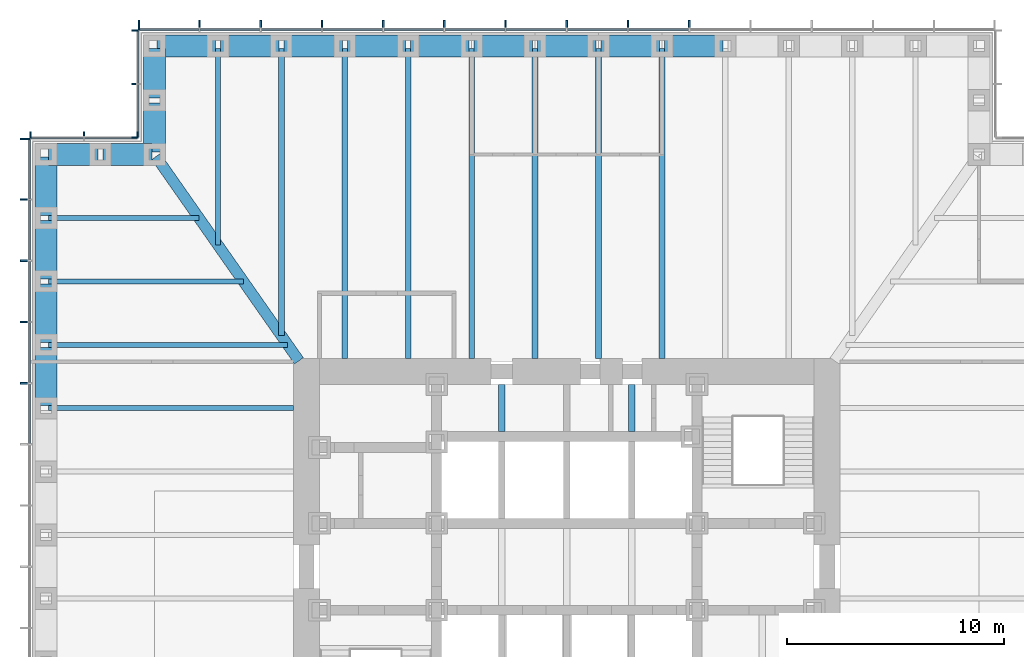
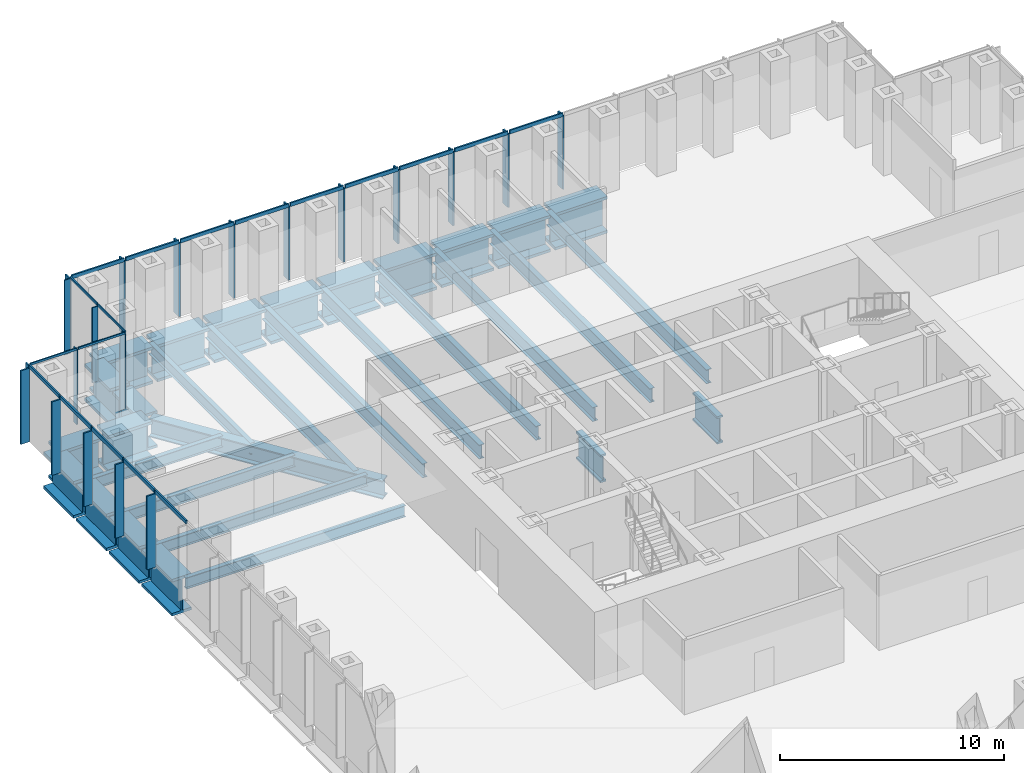
# One storey, part 5 of 16: 39 members, 32 beams, 4 elements without a shape of their own.
"""IFC4 building model written with IfcOpenShell, lengths in metres."""

from ifc_helpers import new_model, si_unit, direction, frame, origin, origin_2d, place, context, subcontext, project, spatial, rectangle, i_section, extrude, material, material_profile, profile_set, type_object, element, aggregate, save


model = new_model("IFC4")

# Units and contexts
model_context = context("Model", 3, precision=1e-05, world=origin(), true_north=direction((0.0, 1.0)))
body_context = subcontext(model_context, "Body", "Model", "MODEL_VIEW")
ifc_project = project(units=[si_unit("LENGTHUNIT", "METRE"), si_unit("AREAUNIT", "SQUARE_METRE"), si_unit("VOLUMEUNIT", "CUBIC_METRE"), si_unit("PLANEANGLEUNIT", "RADIAN"), si_unit("MASSUNIT", "GRAM", prefix="KILO")], contexts=[model_context])

# Site, building, storey
site_placement = place(None, origin())
site = spatial("IfcSite", under=ifc_project, at=site_placement, CompositionType="ELEMENT")
building_placement = place(site_placement, origin())
building = spatial("IfcBuilding", under=site, at=building_placement, Name="Daluyong Arena Tower", CompositionType="ELEMENT")
storey_placement = place(building_placement, frame((0.0, 0.0, 43.300048828125)))
storey = spatial("IfcBuildingStorey", under=building, at=storey_placement, Name="L08", CompositionType="ELEMENT", Elevation=43.300048828125)

# Curtain wall, members
ifc_material_1 = material(Name="Bronze anodised aluminium and glass", Category="aluminium")
curtain_wall_type_1 = type_object("IfcCurtainWallType", Name="Curtain wall CW1", PredefinedType="USERDEFINED", material=ifc_material_1)
curtain_wall_1_placement = place(storey_placement, origin())
curtain_wall_1 = element("IfcCurtainWall", 1, at=curtain_wall_1_placement, inside=storey, type_object=curtain_wall_type_1, Name="curtain wall L08 N", ObjectType="UNITISED CURTAIN WALL", PredefinedType="USERDEFINED")
ifc_material_2 = material(Name="Bronze anodised aluminium fin", Category="aluminium")
ifc_material_profile_1 = material_profile(ifc_material_2, rectangle(XDim=0.449951171875, YDim=0.080078125, at=origin_2d()))
ifc_profile_set_1 = profile_set([ifc_material_profile_1], Name="Bronze anodised aluminium fin")
member_type_1 = type_object("IfcMemberType", Name="CW1 bronze fin 450x80", PredefinedType="MULLION", material=ifc_profile_set_1)
member_1_placement = place(storey_placement, frame((61.642822265625, 104.97509765625, 0.0), z_axis=(0.0, 0.0, 1.0), x_axis=(0.0, -1.0, 0.0)))
member_1 = element("IfcMember", 2, at=member_1_placement, type_object=member_type_1, Name="curtain wall L08 N fin 6", PredefinedType="MULLION", context=body_context, shape_type="SweptSolid", body=[
    extrude(rectangle(XDim=0.449951171875, YDim=0.080078125, at=origin_2d()), origin(), (0.0, 0.0, 1.0), 4.0),
])
member_2_placement = place(storey_placement, frame((58.821533203125, 104.97509765625, 0.0), z_axis=(0.0, 0.0, 1.0), x_axis=(0.0, -1.0, 0.0)))
member_2 = element("IfcMember", 3, at=member_2_placement, type_object=member_type_1, Name="curtain wall L08 N fin 7", PredefinedType="MULLION", context=body_context, shape_type="SweptSolid", body=[
    extrude(rectangle(XDim=0.449951171875, YDim=0.080078125, at=origin_2d()), origin(), (0.0, 0.0, 1.0), 4.0),
])
member_3_placement = place(storey_placement, frame((56.0, 104.97509765625, 0.0), z_axis=(0.0, 0.0, 1.0), x_axis=(0.0, -1.0, 0.0)))
member_3 = element("IfcMember", 4, at=member_3_placement, type_object=member_type_1, Name="curtain wall L08 N fin 8", PredefinedType="MULLION", context=body_context, shape_type="SweptSolid", body=[
    extrude(rectangle(XDim=0.449951171875, YDim=0.080078125, at=origin_2d()), origin(), (0.0, 0.0, 1.0), 4.0),
])
member_4_placement = place(storey_placement, frame((53.178466796875, 104.97509765625, 0.0), z_axis=(0.0, 0.0, 1.0), x_axis=(0.0, -1.0, 0.0)))
member_4 = element("IfcMember", 5, at=member_4_placement, type_object=member_type_1, Name="curtain wall L08 N fin 9", PredefinedType="MULLION", context=body_context, shape_type="SweptSolid", body=[
    extrude(rectangle(XDim=0.449951171875, YDim=0.080078125, at=origin_2d()), origin(), (0.0, 0.0, 1.0), 4.0),
])
member_5_placement = place(storey_placement, frame((50.357177734375, 104.97509765625, 0.0), z_axis=(0.0, 0.0, 1.0), x_axis=(0.0, -1.0, 0.0)))
member_5 = element("IfcMember", 6, at=member_5_placement, type_object=member_type_1, Name="curtain wall L08 N fin 10", PredefinedType="MULLION", context=body_context, shape_type="SweptSolid", body=[
    extrude(rectangle(XDim=0.449951171875, YDim=0.080078125, at=origin_2d()), origin(), (0.0, 0.0, 1.0), 4.0),
])
member_6_placement = place(storey_placement, frame((47.53564453125, 104.97509765625, 0.0), z_axis=(0.0, 0.0, 1.0), x_axis=(0.0, -1.0, 0.0)))
member_6 = element("IfcMember", 7, at=member_6_placement, type_object=member_type_1, Name="curtain wall L08 N fin 11", PredefinedType="MULLION", context=body_context, shape_type="SweptSolid", body=[
    extrude(rectangle(XDim=0.449951171875, YDim=0.080078125, at=origin_2d()), origin(), (0.0, 0.0, 1.0), 4.0),
])
member_7_placement = place(storey_placement, frame((44.71435546875, 104.97509765625, 0.0), z_axis=(0.0, 0.0, 1.0), x_axis=(0.0, -1.0, 0.0)))
member_7 = element("IfcMember", 8, at=member_7_placement, type_object=member_type_1, Name="curtain wall L08 N fin 12", PredefinedType="MULLION", context=body_context, shape_type="SweptSolid", body=[
    extrude(rectangle(XDim=0.449951171875, YDim=0.080078125, at=origin_2d()), origin(), (0.0, 0.0, 1.0), 4.0),
])
member_8_placement = place(storey_placement, frame((41.892822265625, 104.97509765625, 0.0), z_axis=(0.0, 0.0, 1.0), x_axis=(0.0, -1.0, 0.0)))
member_8 = element("IfcMember", 9, at=member_8_placement, type_object=member_type_1, Name="curtain wall L08 N fin 13", PredefinedType="MULLION", context=body_context, shape_type="SweptSolid", body=[
    extrude(rectangle(XDim=0.449951171875, YDim=0.080078125, at=origin_2d()), origin(), (0.0, 0.0, 1.0), 4.0),
])
member_9_placement = place(storey_placement, frame((39.071533203125, 104.97509765625, 0.0), z_axis=(0.0, 0.0, 1.0), x_axis=(0.0, -1.0, 0.0)))
member_9 = element("IfcMember", 10, at=member_9_placement, type_object=member_type_1, Name="curtain wall L08 N fin 14", PredefinedType="MULLION", context=body_context, shape_type="SweptSolid", body=[
    extrude(rectangle(XDim=0.449951171875, YDim=0.080078125, at=origin_2d()), origin(), (0.0, 0.0, 1.0), 4.0),
])
member_10_placement = place(storey_placement, frame((36.2900390625, 104.97509765625, 0.0), z_axis=(0.0, 0.0, 1.0), x_axis=(0.0, -1.0, 0.0)))
member_10 = element("IfcMember", 11, at=member_10_placement, type_object=member_type_1, Name="curtain wall L08 N fin 15", PredefinedType="MULLION", context=body_context, shape_type="SweptSolid", body=[
    extrude(rectangle(XDim=0.449951171875, YDim=0.080078125, at=origin_2d()), origin(), (0.0, 0.0, 1.0), 4.0),
])

curtain_wall_2_placement = place(storey_placement, origin())
curtain_wall_2 = element("IfcCurtainWall", 12, at=curtain_wall_2_placement, inside=storey, type_object=curtain_wall_type_1, Name="curtain wall L08 W", ObjectType="UNITISED CURTAIN WALL", PredefinedType="USERDEFINED")
member_11_placement = place(storey_placement, frame((31.02490234375, 99.7099609375, 0.0), z_axis=(0.0, 0.0, 1.0), x_axis=(1.0, 0.0, 0.0)))
member_11 = element("IfcMember", 13, at=member_11_placement, type_object=member_type_1, Name="curtain wall L08 W fin 1", PredefinedType="MULLION", context=body_context, shape_type="SweptSolid", body=[
    extrude(rectangle(XDim=0.449951171875, YDim=0.080078125, at=origin_2d()), origin(), (0.0, 0.0, 1.0), 4.0),
])
member_12_placement = place(storey_placement, frame((31.02490234375, 96.928466796875, 0.0), z_axis=(0.0, 0.0, 1.0), x_axis=(1.0, 0.0, 0.0)))
member_12 = element("IfcMember", 14, at=member_12_placement, type_object=member_type_1, Name="curtain wall L08 W fin 2", PredefinedType="MULLION", context=body_context, shape_type="SweptSolid", body=[
    extrude(rectangle(XDim=0.449951171875, YDim=0.080078125, at=origin_2d()), origin(), (0.0, 0.0, 1.0), 4.0),
])
member_13_placement = place(storey_placement, frame((31.02490234375, 94.107177734375, 0.0), z_axis=(0.0, 0.0, 1.0), x_axis=(1.0, 0.0, 0.0)))
member_13 = element("IfcMember", 15, at=member_13_placement, type_object=member_type_1, Name="curtain wall L08 W fin 3", PredefinedType="MULLION", context=body_context, shape_type="SweptSolid", body=[
    extrude(rectangle(XDim=0.449951171875, YDim=0.080078125, at=origin_2d()), origin(), (0.0, 0.0, 1.0), 4.0),
])
member_14_placement = place(storey_placement, frame((31.02490234375, 91.28564453125, 0.0), z_axis=(0.0, 0.0, 1.0), x_axis=(1.0, 0.0, 0.0)))
member_14 = element("IfcMember", 16, at=member_14_placement, type_object=member_type_1, Name="curtain wall L08 W fin 4", PredefinedType="MULLION", context=body_context, shape_type="SweptSolid", body=[
    extrude(rectangle(XDim=0.449951171875, YDim=0.080078125, at=origin_2d()), origin(), (0.0, 0.0, 1.0), 4.0),
])
member_15_placement = place(storey_placement, frame((31.02490234375, 88.46435546875, 0.0), z_axis=(0.0, 0.0, 1.0), x_axis=(1.0, 0.0, 0.0)))
member_15 = element("IfcMember", 17, at=member_15_placement, type_object=member_type_1, Name="curtain wall L08 W fin 5", PredefinedType="MULLION", context=body_context, shape_type="SweptSolid", body=[
    extrude(rectangle(XDim=0.449951171875, YDim=0.080078125, at=origin_2d()), origin(), (0.0, 0.0, 1.0), 4.0),
])

# Member
ifc_material_3 = material(Name="Bronze anodised aluminium", Category="aluminium")
ifc_material_profile_2 = material_profile(ifc_material_3, rectangle(XDim=0.080078125, YDim=0.199951171875, at=origin_2d()))
ifc_profile_set_2 = profile_set([ifc_material_profile_2], Name="Bronze anodised aluminium")
member_type_2 = type_object("IfcMemberType", Name="CW1 stack transom 200x80", PredefinedType="USERDEFINED", material=ifc_profile_set_2)
member_16_placement = place(storey_placement, frame((61.602783203125, 104.75, 4.099853515625), z_axis=(-1.0, 0.0, 0.0), x_axis=(0.0, -1.0, 0.0)))
member_16 = element("IfcMember", 18, at=member_16_placement, type_object=member_type_2, Name="curtain wall L08 N transom 6", ObjectType="TRANSOM", PredefinedType="USERDEFINED", context=body_context, shape_type="SweptSolid", body=[
    extrude(rectangle(XDim=0.080078125, YDim=0.199951171875, at=origin_2d()), origin(), (0.0, 0.0, 1.0), 2.741455078125),
])

member_17_placement = place(storey_placement, frame((58.781494140625, 104.75, 4.099853515625), z_axis=(-1.0, 0.0, 0.0), x_axis=(0.0, -1.0, 0.0)))
member_17 = element("IfcMember", 19, at=member_17_placement, type_object=member_type_2, Name="curtain wall L08 N transom 7", ObjectType="TRANSOM", PredefinedType="USERDEFINED", context=body_context, shape_type="SweptSolid", body=[
    extrude(rectangle(XDim=0.080078125, YDim=0.199951171875, at=origin_2d()), origin(), (0.0, 0.0, 1.0), 2.741455078125),
])

member_18_placement = place(storey_placement, frame((55.9599609375, 104.75, 4.099853515625), z_axis=(-1.0, 0.0, 0.0), x_axis=(0.0, -1.0, 0.0)))
member_18 = element("IfcMember", 20, at=member_18_placement, type_object=member_type_2, Name="curtain wall L08 N transom 8", ObjectType="TRANSOM", PredefinedType="USERDEFINED", context=body_context, shape_type="SweptSolid", body=[
    extrude(rectangle(XDim=0.080078125, YDim=0.199951171875, at=origin_2d()), origin(), (0.0, 0.0, 1.0), 2.741455078125),
])

member_19_placement = place(storey_placement, frame((53.138671875, 104.75, 4.099853515625), z_axis=(-1.0, 0.0, 0.0), x_axis=(0.0, -1.0, 0.0)))
member_19 = element("IfcMember", 21, at=member_19_placement, type_object=member_type_2, Name="curtain wall L08 N transom 9", ObjectType="TRANSOM", PredefinedType="USERDEFINED", context=body_context, shape_type="SweptSolid", body=[
    extrude(rectangle(XDim=0.080078125, YDim=0.199951171875, at=origin_2d()), origin(), (0.0, 0.0, 1.0), 2.741455078125),
])

member_20_placement = place(storey_placement, frame((50.317138671875, 104.75, 4.099853515625), z_axis=(-1.0, 0.0, 0.0), x_axis=(0.0, -1.0, 0.0)))
member_20 = element("IfcMember", 22, at=member_20_placement, type_object=member_type_2, Name="curtain wall L08 N transom 10", ObjectType="TRANSOM", PredefinedType="USERDEFINED", context=body_context, shape_type="SweptSolid", body=[
    extrude(rectangle(XDim=0.080078125, YDim=0.199951171875, at=origin_2d()), origin(), (0.0, 0.0, 1.0), 2.741455078125),
])

member_21_placement = place(storey_placement, frame((47.49560546875, 104.75, 4.099853515625), z_axis=(-1.0, 0.0, 0.0), x_axis=(0.0, -1.0, 0.0)))
member_21 = element("IfcMember", 23, at=member_21_placement, type_object=member_type_2, Name="curtain wall L08 N transom 11", ObjectType="TRANSOM", PredefinedType="USERDEFINED", context=body_context, shape_type="SweptSolid", body=[
    extrude(rectangle(XDim=0.080078125, YDim=0.199951171875, at=origin_2d()), origin(), (0.0, 0.0, 1.0), 2.7412109375),
])

member_22_placement = place(storey_placement, frame((44.67431640625, 104.75, 4.099853515625), z_axis=(-1.0, 0.0, 0.0), x_axis=(0.0, -1.0, 0.0)))
member_22 = element("IfcMember", 24, at=member_22_placement, type_object=member_type_2, Name="curtain wall L08 N transom 12", ObjectType="TRANSOM", PredefinedType="USERDEFINED", context=body_context, shape_type="SweptSolid", body=[
    extrude(rectangle(XDim=0.080078125, YDim=0.199951171875, at=origin_2d()), origin(), (0.0, 0.0, 1.0), 2.741455078125),
])

member_23_placement = place(storey_placement, frame((41.852783203125, 104.75, 4.099853515625), z_axis=(-1.0, 0.0, 0.0), x_axis=(0.0, -1.0, 0.0)))
member_23 = element("IfcMember", 25, at=member_23_placement, type_object=member_type_2, Name="curtain wall L08 N transom 13", ObjectType="TRANSOM", PredefinedType="USERDEFINED", context=body_context, shape_type="SweptSolid", body=[
    extrude(rectangle(XDim=0.080078125, YDim=0.199951171875, at=origin_2d()), origin(), (0.0, 0.0, 1.0), 2.741455078125),
])

member_24_placement = place(storey_placement, frame((39.031494140625, 104.75, 4.099853515625), z_axis=(-1.0, 0.0, 0.0), x_axis=(0.0, -1.0, 0.0)))
member_24 = element("IfcMember", 26, at=member_24_placement, type_object=member_type_2, Name="curtain wall L08 N transom 14", ObjectType="TRANSOM", PredefinedType="USERDEFINED", context=body_context, shape_type="SweptSolid", body=[
    extrude(rectangle(XDim=0.080078125, YDim=0.199951171875, at=origin_2d()), origin(), (0.0, 0.0, 1.0), 2.701416015625),
])

aggregate(curtain_wall_1, [member_1, member_2, member_3, member_4, member_5, member_6, member_7, member_8, member_9, member_10, member_16, member_17, member_18, member_19, member_20, member_21, member_22, member_23, member_24])

member_25_placement = place(storey_placement, frame((31.25, 99.669921875, 4.099853515625), z_axis=(0.0, -1.0, 0.0), x_axis=(1.0, 0.0, 0.0)))
member_25 = element("IfcMember", 27, at=member_25_placement, type_object=member_type_2, Name="curtain wall L08 W transom 1", ObjectType="TRANSOM", PredefinedType="USERDEFINED", context=body_context, shape_type="SweptSolid", body=[
    extrude(rectangle(XDim=0.080078125, YDim=0.199951171875, at=origin_2d()), origin(), (0.0, 0.0, 1.0), 2.701416015625),
])

member_26_placement = place(storey_placement, frame((31.25, 96.888671875, 4.099853515625), z_axis=(0.0, -1.0, 0.0), x_axis=(1.0, 0.0, 0.0)))
member_26 = element("IfcMember", 28, at=member_26_placement, type_object=member_type_2, Name="curtain wall L08 W transom 2", ObjectType="TRANSOM", PredefinedType="USERDEFINED", context=body_context, shape_type="SweptSolid", body=[
    extrude(rectangle(XDim=0.080078125, YDim=0.199951171875, at=origin_2d()), origin(), (0.0, 0.0, 1.0), 2.741455078125),
])

member_27_placement = place(storey_placement, frame((31.25, 94.067138671875, 4.099853515625), z_axis=(0.0, -1.0, 0.0), x_axis=(1.0, 0.0, 0.0)))
member_27 = element("IfcMember", 29, at=member_27_placement, type_object=member_type_2, Name="curtain wall L08 W transom 3", ObjectType="TRANSOM", PredefinedType="USERDEFINED", context=body_context, shape_type="SweptSolid", body=[
    extrude(rectangle(XDim=0.080078125, YDim=0.199951171875, at=origin_2d()), origin(), (0.0, 0.0, 1.0), 2.741455078125),
])

member_28_placement = place(storey_placement, frame((31.25, 91.24560546875, 4.099853515625), z_axis=(0.0, -1.0, 0.0), x_axis=(1.0, 0.0, 0.0)))
member_28 = element("IfcMember", 30, at=member_28_placement, type_object=member_type_2, Name="curtain wall L08 W transom 4", ObjectType="TRANSOM", PredefinedType="USERDEFINED", context=body_context, shape_type="SweptSolid", body=[
    extrude(rectangle(XDim=0.080078125, YDim=0.199951171875, at=origin_2d()), origin(), (0.0, 0.0, 1.0), 2.7412109375),
])

member_29_placement = place(storey_placement, frame((31.25, 88.42431640625, 4.099853515625), z_axis=(0.0, -1.0, 0.0), x_axis=(1.0, 0.0, 0.0)))
member_29 = element("IfcMember", 31, at=member_29_placement, type_object=member_type_2, Name="curtain wall L08 W transom 5", ObjectType="TRANSOM", PredefinedType="USERDEFINED", context=body_context, shape_type="SweptSolid", body=[
    extrude(rectangle(XDim=0.080078125, YDim=0.199951171875, at=origin_2d()), origin(), (0.0, 0.0, 1.0), 2.741455078125),
])

aggregate(curtain_wall_2, [member_11, member_12, member_13, member_14, member_15, member_25, member_26, member_27, member_28, member_29])

# Curtain wall, members
ifc_material_4 = material(Name="Bronze anodised aluminium and glass", Category="aluminium")
curtain_wall_type_2 = type_object("IfcCurtainWallType", Name="Curtain wall CW7", PredefinedType="USERDEFINED", material=ifc_material_4)
curtain_wall_3_placement = place(storey_placement, origin())
curtain_wall_3 = element("IfcCurtainWall", 32, at=curtain_wall_3_placement, inside=storey, type_object=curtain_wall_type_2, Name="curtain wall L08 NW-W", ObjectType="UNITISED CURTAIN WALL", PredefinedType="USERDEFINED")
ifc_material_5 = material(Name="Bronze anodised aluminium fin", Category="aluminium")
ifc_material_profile_3 = material_profile(ifc_material_5, rectangle(XDim=0.300048828125, YDim=0.06005859375, at=origin_2d()))
ifc_profile_set_3 = profile_set([ifc_material_profile_3], Name="Bronze anodised aluminium fin")
member_type_3 = type_object("IfcMemberType", Name="CW7 bronze fin 300x60", PredefinedType="MULLION", material=ifc_profile_set_3)
member_30_placement = place(storey_placement, frame((36.10009765625, 104.719970703125, 0.0), z_axis=(0.0, 0.0, 1.0), x_axis=(1.0, 0.0, 0.0)))
member_30 = element("IfcMember", 33, at=member_30_placement, type_object=member_type_3, Name="curtain wall L08 NW-W fin 1", PredefinedType="MULLION", context=body_context, shape_type="SweptSolid", body=[
    extrude(rectangle(XDim=0.300048828125, YDim=0.06005859375, at=origin_2d()), origin(), (0.0, 0.0, 1.0), 4.079833984375),
])
member_31_placement = place(storey_placement, frame((36.10009765625, 102.25, 0.0), z_axis=(0.0, 0.0, 1.0), x_axis=(1.0, 0.0, 0.0)))
member_31 = element("IfcMember", 34, at=member_31_placement, type_object=member_type_3, Name="curtain wall L08 NW-W fin 2", PredefinedType="MULLION", context=body_context, shape_type="SweptSolid", body=[
    extrude(rectangle(XDim=0.300048828125, YDim=0.06005859375, at=origin_2d()), origin(), (0.0, 0.0, 1.0), 4.079833984375),
])
member_32_placement = place(storey_placement, frame((36.10009765625, 99.780029296875, 0.0), z_axis=(0.0, 0.0, 1.0), x_axis=(1.0, 0.0, 0.0)))
member_32 = element("IfcMember", 35, at=member_32_placement, type_object=member_type_3, Name="curtain wall L08 NW-W fin 3", PredefinedType="MULLION", context=body_context, shape_type="SweptSolid", body=[
    extrude(rectangle(XDim=0.300048828125, YDim=0.06005859375, at=origin_2d()), origin(), (0.0, 0.0, 1.0), 4.079833984375),
])

curtain_wall_4_placement = place(storey_placement, origin())
curtain_wall_4 = element("IfcCurtainWall", 36, at=curtain_wall_4_placement, inside=storey, type_object=curtain_wall_type_2, Name="curtain wall L08 NW-N", ObjectType="UNITISED CURTAIN WALL", PredefinedType="USERDEFINED")
member_33_placement = place(storey_placement, frame((36.219970703125, 99.89990234375, 0.0), z_axis=(0.0, 0.0, 1.0), x_axis=(0.0, -1.0, 0.0)))
member_33 = element("IfcMember", 37, at=member_33_placement, type_object=member_type_3, Name="curtain wall L08 NW-N fin 1", PredefinedType="MULLION", context=body_context, shape_type="SweptSolid", body=[
    extrude(rectangle(XDim=0.300048828125, YDim=0.06005859375, at=origin_2d()), origin(), (0.0, 0.0, 1.0), 4.079833984375),
])
member_34_placement = place(storey_placement, frame((33.75, 99.89990234375, 0.0), z_axis=(0.0, 0.0, 1.0), x_axis=(0.0, -1.0, 0.0)))
member_34 = element("IfcMember", 38, at=member_34_placement, type_object=member_type_3, Name="curtain wall L08 NW-N fin 2", PredefinedType="MULLION", context=body_context, shape_type="SweptSolid", body=[
    extrude(rectangle(XDim=0.300048828125, YDim=0.06005859375, at=origin_2d()), origin(), (0.0, 0.0, 1.0), 4.079833984375),
])
member_35_placement = place(storey_placement, frame((31.280029296875, 99.89990234375, 0.0), z_axis=(0.0, 0.0, 1.0), x_axis=(0.0, -1.0, 0.0)))
member_35 = element("IfcMember", 39, at=member_35_placement, type_object=member_type_3, Name="curtain wall L08 NW-N fin 3", PredefinedType="MULLION", context=body_context, shape_type="SweptSolid", body=[
    extrude(rectangle(XDim=0.300048828125, YDim=0.06005859375, at=origin_2d()), origin(), (0.0, 0.0, 1.0), 4.079833984375),
])

# Member
ifc_material_6 = material(Name="Bronze anodised aluminium", Category="aluminium")
ifc_material_profile_4 = material_profile(ifc_material_6, rectangle(XDim=0.06005859375, YDim=0.1201171875, at=origin_2d()))
ifc_profile_set_4 = profile_set([ifc_material_profile_4], Name="Bronze anodised aluminium")
member_type_4 = type_object("IfcMemberType", Name="CW7 stack transom 120x60", PredefinedType="USERDEFINED", material=ifc_profile_set_4)
member_36_placement = place(storey_placement, frame((36.25, 104.68994140625, 4.139892578125), z_axis=(0.0, -1.0, 0.0), x_axis=(1.0, 0.0, 0.0)))
member_36 = element("IfcMember", 40, at=member_36_placement, type_object=member_type_4, Name="curtain wall L08 NW-W transom 1", ObjectType="TRANSOM", PredefinedType="USERDEFINED", context=body_context, shape_type="SweptSolid", body=[
    extrude(rectangle(XDim=0.06005859375, YDim=0.1201171875, at=origin_2d()), origin(), (0.0, 0.0, 1.0), 2.409912109375),
])

member_37_placement = place(storey_placement, frame((36.25, 102.219970703125, 4.139892578125), z_axis=(0.0, -1.0, 0.0), x_axis=(1.0, 0.0, 0.0)))
member_37 = element("IfcMember", 41, at=member_37_placement, type_object=member_type_4, Name="curtain wall L08 NW-W transom 2", ObjectType="TRANSOM", PredefinedType="USERDEFINED", context=body_context, shape_type="SweptSolid", body=[
    extrude(rectangle(XDim=0.06005859375, YDim=0.1201171875, at=origin_2d()), origin(), (0.0, 0.0, 1.0), 2.409912109375),
])

aggregate(curtain_wall_3, [member_30, member_31, member_32, member_36, member_37])

member_38_placement = place(storey_placement, frame((36.18994140625, 99.75, 4.139892578125), z_axis=(-1.0, 0.0, 0.0), x_axis=(0.0, -1.0, 0.0)))
member_38 = element("IfcMember", 42, at=member_38_placement, type_object=member_type_4, Name="curtain wall L08 NW-N transom 1", ObjectType="TRANSOM", PredefinedType="USERDEFINED", context=body_context, shape_type="SweptSolid", body=[
    extrude(rectangle(XDim=0.06005859375, YDim=0.1201171875, at=origin_2d()), origin(), (0.0, 0.0, 1.0), 2.409912109375),
])

member_39_placement = place(storey_placement, frame((33.719970703125, 99.75, 4.139892578125), z_axis=(-1.0, 0.0, 0.0), x_axis=(0.0, -1.0, 0.0)))
member_39 = element("IfcMember", 43, at=member_39_placement, type_object=member_type_4, Name="curtain wall L08 NW-N transom 2", ObjectType="TRANSOM", PredefinedType="USERDEFINED", context=body_context, shape_type="SweptSolid", body=[
    extrude(rectangle(XDim=0.06005859375, YDim=0.1201171875, at=origin_2d()), origin(), (0.0, 0.0, 1.0), 2.409912109375),
])

aggregate(curtain_wall_4, [member_33, member_34, member_35, member_38, member_39])

# Beams
ifc_material_7 = material(Name="Steel ASTM A572 Grade 50", Category="steel")
ifc_material_profile_5 = material_profile(ifc_material_7, i_section(OverallWidth=0.5, OverallDepth=1.0, WebThickness=0.03, FlangeThickness=0.06, at=origin_2d()))
ifc_profile_set_5 = profile_set([ifc_material_profile_5], Name="Steel ASTM A572 Grade 50")
beam_type_1 = type_object("IfcBeamType", Name="Corner girder TB1000X500", PredefinedType="BEAM", material=ifc_profile_set_5)
beam_1_placement = place(storey_placement, frame((37.06591796875, 98.90576171875, -0.66015625), z_axis=(0.573466621875, -0.819228926244, 0.0), x_axis=(0.819228926244, 0.573466621875, 0.0)))
element("IfcBeam", 44, at=beam_1_placement, inside=storey, type_object=beam_type_1, Name="corner girder DG2", PredefinedType="BEAM", context=body_context, shape_type="SweptSolid", body=[
    extrude(i_section(OverallWidth=0.5, OverallDepth=1.0, WebThickness=0.03, FlangeThickness=0.06, at=origin_2d()), origin(), (0.0, 0.0, 1.0), 11.49169921875),
])
ifc_material_8 = material(Name="Steel ASTM A992 Grade 50", Category="steel")
ifc_material_profile_6 = material_profile(ifc_material_8, i_section(OverallWidth=0.22900390625, OverallDepth=0.612060546875, WebThickness=0.011962890625, FlangeThickness=0.01953125, at=origin_2d()))
ifc_profile_set_6 = profile_set([ifc_material_profile_6], Name="Steel ASTM A992 Grade 50")
beam_type_2 = type_object("IfcBeamType", Name="Floor beam W24X84", PredefinedType="BEAM", material=ifc_profile_set_6)
beam_2_placement = place(storey_placement, frame((39.923095703125, 103.885009765625, -0.466064453125), z_axis=(0.0, -1.0, 0.0), x_axis=(1.0, 0.0, 0.0)))
element("IfcBeam", 45, at=beam_2_placement, inside=storey, type_object=beam_type_2, Name="floor beam FB3", PredefinedType="BEAM", context=body_context, shape_type="SweptSolid", body=[
    extrude(i_section(OverallWidth=0.22900390625, OverallDepth=0.612060546875, WebThickness=0.011962890625, FlangeThickness=0.01953125, at=origin_2d()), origin(), (0.0, 0.0, 1.0), 9.060791015625),
])
beam_3_placement = place(storey_placement, frame((32.114990234375, 96.076904296875, -0.466064453125), z_axis=(1.0, 0.0, 0.0), x_axis=(0.0, 1.0, 0.0)))
element("IfcBeam", 46, at=beam_3_placement, inside=storey, type_object=beam_type_2, Name="floor beam FB3", PredefinedType="BEAM", context=body_context, shape_type="SweptSolid", body=[
    extrude(i_section(OverallWidth=0.22900390625, OverallDepth=0.612060546875, WebThickness=0.011962890625, FlangeThickness=0.01953125, at=origin_2d()), origin(), (0.0, 0.0, 1.0), 6.93115234375),
])
beam_4_placement = place(storey_placement, frame((32.114990234375, 93.15380859375, -0.466064453125), z_axis=(1.0, 0.0, 0.0), x_axis=(0.0, 1.0, 0.0)))
element("IfcBeam", 47, at=beam_4_placement, inside=storey, type_object=beam_type_2, Name="floor beam FB3", PredefinedType="BEAM", context=body_context, shape_type="SweptSolid", body=[
    extrude(i_section(OverallWidth=0.22900390625, OverallDepth=0.612060546875, WebThickness=0.011962890625, FlangeThickness=0.01953125, at=origin_2d()), origin(), (0.0, 0.0, 1.0), 8.977294921875),
])
beam_5_placement = place(storey_placement, frame((32.114990234375, 90.230712890625, -0.466064453125), z_axis=(1.0, 0.0, 0.0), x_axis=(0.0, 1.0, 0.0)))
element("IfcBeam", 48, at=beam_5_placement, inside=storey, type_object=beam_type_2, Name="floor beam FB3", PredefinedType="BEAM", context=body_context, shape_type="SweptSolid", body=[
    extrude(i_section(OverallWidth=0.22900390625, OverallDepth=0.612060546875, WebThickness=0.011962890625, FlangeThickness=0.01953125, at=origin_2d()), origin(), (0.0, 0.0, 1.0), 11.0234375),
])
beam_6_placement = place(storey_placement, frame((32.114990234375, 87.3076171875, -0.466064453125), z_axis=(1.0, 0.0, 0.0), x_axis=(0.0, 1.0, 0.0)))
element("IfcBeam", 49, at=beam_6_placement, inside=storey, type_object=beam_type_2, Name="floor beam FB3", PredefinedType="BEAM", context=body_context, shape_type="SweptSolid", body=[
    extrude(i_section(OverallWidth=0.22900390625, OverallDepth=0.612060546875, WebThickness=0.011962890625, FlangeThickness=0.01953125, at=origin_2d()), origin(), (0.0, 0.0, 1.0), 11.284912109375),
])
ifc_material_9 = material(Name="Steel ASTM A992 Grade 50", Category="steel")
ifc_material_profile_7 = material_profile(ifc_material_9, i_section(OverallWidth=0.2666015625, OverallDepth=0.761962890625, WebThickness=0.014404296875, FlangeThickness=0.021484375, at=origin_2d()))
ifc_profile_set_7 = profile_set([ifc_material_profile_7], Name="Steel ASTM A992 Grade 50")
beam_type_3 = type_object("IfcBeamType", Name="Floor beam W30X116", PredefinedType="BEAM", material=ifc_profile_set_7)
for number, where, z_axis, x_axis, name in (
    (50, (60.384521484375, 103.885009765625, -0.541015625), (0.0, -1.0, 0.0), (1.0, 0.0, 0.0), "floor beam FB4"),
    (51, (57.46142578125, 103.885009765625, -0.541015625), (0.0, -1.0, 0.0), (1.0, 0.0, 0.0), "floor beam FB4"),
    (52, (54.53857421875, 103.885009765625, -0.541015625), (0.0, -1.0, 0.0), (1.0, 0.0, 0.0), "floor beam FB4"),
    (53, (51.615478515625, 103.885009765625, -0.541015625), (0.0, -1.0, 0.0), (1.0, 0.0, 0.0), "floor beam FB4"),
    (54, (48.6923828125, 103.885009765625, -0.541015625), (0.0, -1.0, 0.0), (1.0, 0.0, 0.0), "floor beam FB4"),
    (55, (45.769287109375, 103.885009765625, -0.541015625), (0.0, -1.0, 0.0), (1.0, 0.0, 0.0), "floor beam FB4"),
):
    element("IfcBeam", number, at=place(storey_placement, frame(where, z_axis=z_axis, x_axis=x_axis)), inside=storey, type_object=beam_type_3, Name=name, PredefinedType="BEAM", context=body_context, shape_type="SweptSolid", body=[
        extrude(i_section(OverallWidth=0.2666015625, OverallDepth=0.761962890625, WebThickness=0.014404296875, FlangeThickness=0.021484375, at=origin_2d()), origin(), (0.0, 0.0, 1.0), 14.284912109375),
    ])
beam_7_placement = place(storey_placement, frame((42.84619140625, 103.885009765625, -0.541015625), z_axis=(0.0, -1.0, 0.0), x_axis=(1.0, 0.0, 0.0)))
element("IfcBeam", 56, at=beam_7_placement, inside=storey, type_object=beam_type_3, Name="floor beam FB4", PredefinedType="BEAM", context=body_context, shape_type="SweptSolid", body=[
    extrude(i_section(OverallWidth=0.2666015625, OverallDepth=0.761962890625, WebThickness=0.014404296875, FlangeThickness=0.021484375, at=origin_2d()), origin(), (0.0, 0.0, 1.0), 13.236572265625),
])
ifc_material_10 = material(Name="Steel ASTM A572 Grade 50", Category="steel")
ifc_material_profile_8 = material_profile(ifc_material_10, i_section(OverallWidth=0.300048828125, OverallDepth=1.5, WebThickness=0.04, FlangeThickness=0.1, at=origin_2d()))
ifc_profile_set_8 = profile_set([ifc_material_profile_8], Name="Steel ASTM A572 Grade 50")
beam_type_4 = type_object("IfcBeamType", Name="Lift divider beam PG1500X300", PredefinedType="BEAM", material=ifc_profile_set_8)
for number, where, z_axis, x_axis, name in (
    (57, (53.0, 86.22509765625, -0.91015625), (0.0, 1.0, 0.0), (-1.0, 0.0, 0.0), "lift divider beam DB2"),
    (58, (59.0, 86.22509765625, -0.91015625), (0.0, 1.0, 0.0), (-1.0, 0.0, 0.0), "lift divider beam DB2"),
):
    element("IfcBeam", number, at=place(storey_placement, frame(where, z_axis=z_axis, x_axis=x_axis)), inside=storey, type_object=beam_type_4, Name=name, PredefinedType="BEAM", context=body_context, shape_type="SweptSolid", body=[
        extrude(i_section(OverallWidth=0.300048828125, OverallDepth=1.5, WebThickness=0.04, FlangeThickness=0.1, at=origin_2d()), origin(), (0.0, 0.0, 1.0), 2.1748046875),
    ])
ifc_material_11 = material(Name="Steel ASTM A588 Grade 50", Category="steel")
ifc_material_profile_9 = material_profile(ifc_material_11, i_section(OverallWidth=1.0, OverallDepth=2.0, WebThickness=0.06, FlangeThickness=0.15, at=origin_2d()))
ifc_profile_set_9 = profile_set([ifc_material_profile_9], Name="Steel ASTM A588 Grade 50")
beam_type_5 = type_object("IfcBeamType", Name="Spandrel Z1 PG2000X1000", PredefinedType="SPANDREL", material=ifc_profile_set_9)
for number, where, z_axis, x_axis, name in (
    (59, (63.192626953125, 104.0, -1.16015625), (-1.0, 0.0, 0.0), (0.0, -1.0, 0.0), "spandrel z1 SB2"),
    (60, (60.26953125, 104.0, -1.16015625), (-1.0, 0.0, 0.0), (0.0, -1.0, 0.0), "spandrel z1 SB2"),
):
    element("IfcBeam", number, at=place(storey_placement, frame(where, z_axis=z_axis, x_axis=x_axis)), inside=storey, type_object=beam_type_5, Name=name, PredefinedType="SPANDREL", context=body_context, shape_type="SweptSolid", body=[
        extrude(i_section(OverallWidth=1.0, OverallDepth=2.0, WebThickness=0.06, FlangeThickness=0.15, at=origin_2d()), origin(), (0.0, 0.0, 1.0), 2.693115234375),
    ])
beam_8_placement = place(storey_placement, frame((57.346435546875, 104.0, -1.16015625), z_axis=(-1.0, 0.0, 0.0), x_axis=(0.0, -1.0, 0.0)))
element("IfcBeam", 61, at=beam_8_placement, inside=storey, type_object=beam_type_5, Name="spandrel z1 SB2", PredefinedType="SPANDREL", context=body_context, shape_type="SweptSolid", body=[
    extrude(i_section(OverallWidth=1.0, OverallDepth=2.0, WebThickness=0.06, FlangeThickness=0.15, at=origin_2d()), origin(), (0.0, 0.0, 1.0), 2.69287109375),
])
for number, where, z_axis, x_axis, name in (
    (62, (54.423583984375, 104.0, -1.16015625), (-1.0, 0.0, 0.0), (0.0, -1.0, 0.0), "spandrel z1 SB2"),
    (63, (51.50048828125, 104.0, -1.16015625), (-1.0, 0.0, 0.0), (0.0, -1.0, 0.0), "spandrel z1 SB2"),
    (64, (48.577392578125, 104.0, -1.16015625), (-1.0, 0.0, 0.0), (0.0, -1.0, 0.0), "spandrel z1 SB2"),
    (65, (45.654296875, 104.0, -1.16015625), (-1.0, 0.0, 0.0), (0.0, -1.0, 0.0), "spandrel z1 SB2"),
    (66, (42.731201171875, 104.0, -1.16015625), (-1.0, 0.0, 0.0), (0.0, -1.0, 0.0), "spandrel z1 SB2"),
    (67, (39.80810546875, 104.0, -1.16015625), (-1.0, 0.0, 0.0), (0.0, -1.0, 0.0), "spandrel z1 SB2"),
):
    element("IfcBeam", number, at=place(storey_placement, frame(where, z_axis=z_axis, x_axis=x_axis)), inside=storey, type_object=beam_type_5, Name=name, PredefinedType="SPANDREL", context=body_context, shape_type="SweptSolid", body=[
        extrude(i_section(OverallWidth=1.0, OverallDepth=2.0, WebThickness=0.06, FlangeThickness=0.15, at=origin_2d()), origin(), (0.0, 0.0, 1.0), 2.693115234375),
    ])
for number, where, z_axis, x_axis, name in (
    (68, (37.0, 103.885009765625, -1.16015625), (0.0, -1.0, 0.0), (1.0, 0.0, 0.0), "spandrel z1 SB2"),
    (69, (37.0, 101.385009765625, -1.16015625), (0.0, -1.0, 0.0), (1.0, 0.0, 0.0), "spandrel z1 SB2"),
    (70, (36.885009765625, 99.0, -1.16015625), (-1.0, 0.0, 0.0), (0.0, -1.0, 0.0), "spandrel z1 SB2"),
    (71, (34.385009765625, 99.0, -1.16015625), (-1.0, 0.0, 0.0), (0.0, -1.0, 0.0), "spandrel z1 SB2"),
):
    element("IfcBeam", number, at=place(storey_placement, frame(where, z_axis=z_axis, x_axis=x_axis)), inside=storey, type_object=beam_type_5, Name=name, PredefinedType="SPANDREL", context=body_context, shape_type="SweptSolid", body=[
        extrude(i_section(OverallWidth=1.0, OverallDepth=2.0, WebThickness=0.06, FlangeThickness=0.15, at=origin_2d()), origin(), (0.0, 0.0, 1.0), 2.27001953125),
    ])
for number, where, z_axis, x_axis, name in (
    (72, (32.0, 98.885009765625, -1.16015625), (0.0, -1.0, 0.0), (1.0, 0.0, 0.0), "spandrel z1 SB2"),
    (73, (32.0, 95.9619140625, -1.16015625), (0.0, -1.0, 0.0), (1.0, 0.0, 0.0), "spandrel z1 SB2"),
    (74, (32.0, 93.038818359375, -1.16015625), (0.0, -1.0, 0.0), (1.0, 0.0, 0.0), "spandrel z1 SB2"),
    (75, (32.0, 90.11572265625, -1.16015625), (0.0, -1.0, 0.0), (1.0, 0.0, 0.0), "spandrel z1 SB2"),
):
    element("IfcBeam", number, at=place(storey_placement, frame(where, z_axis=z_axis, x_axis=x_axis)), inside=storey, type_object=beam_type_5, Name=name, PredefinedType="SPANDREL", context=body_context, shape_type="SweptSolid", body=[
        extrude(i_section(OverallWidth=1.0, OverallDepth=2.0, WebThickness=0.06, FlangeThickness=0.15, at=origin_2d()), origin(), (0.0, 0.0, 1.0), 2.693115234375),
    ])

save(model, "model.ifc")
